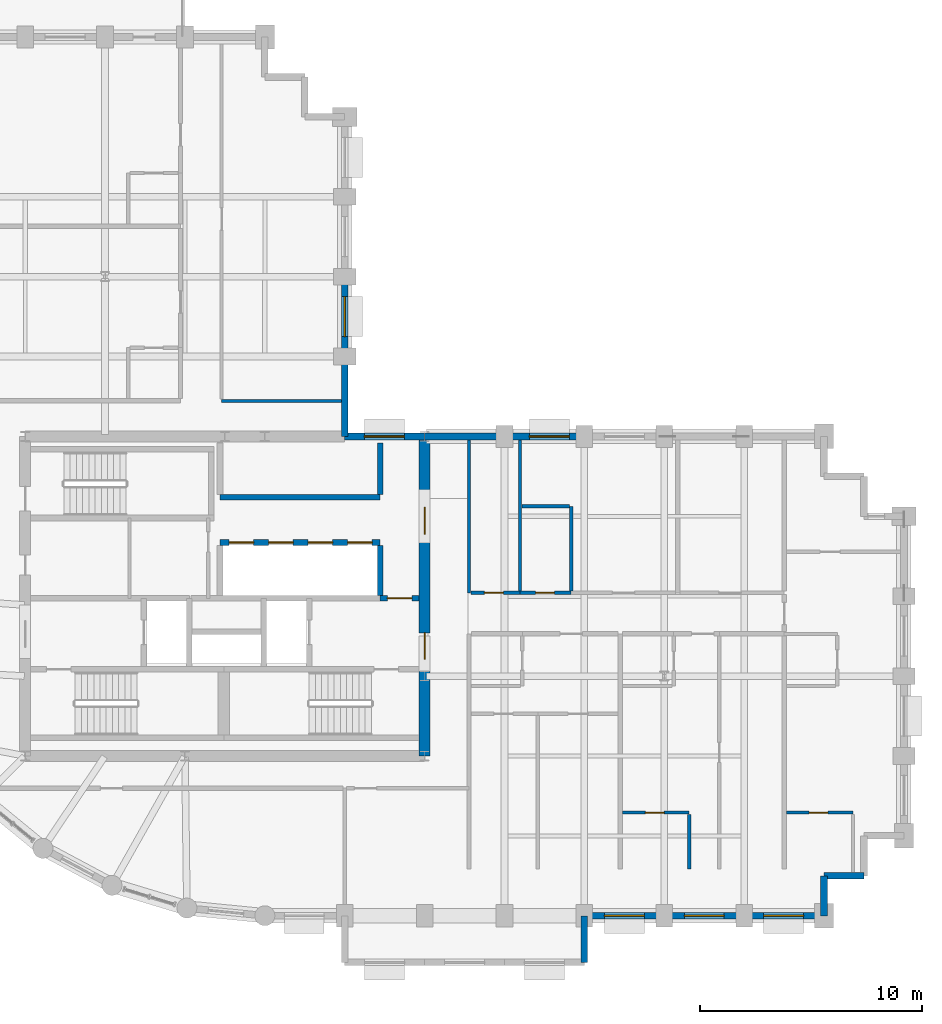
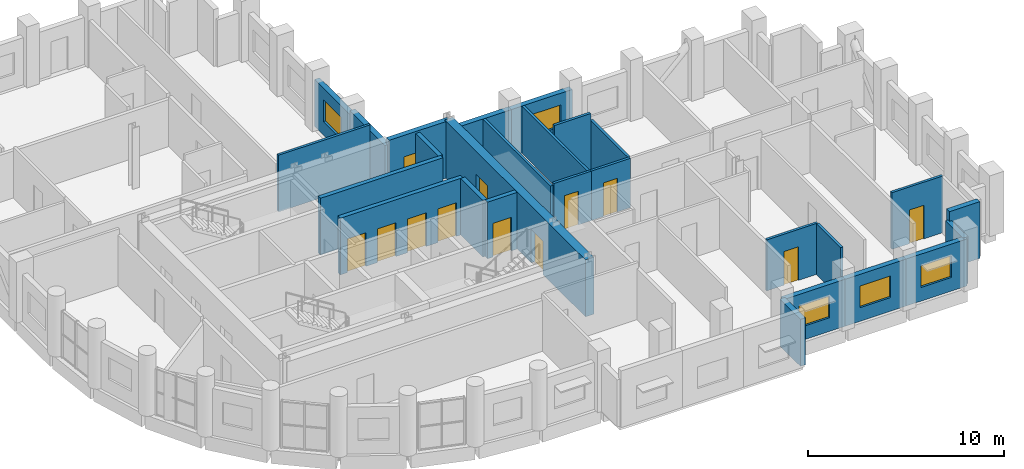
# One storey, part 9 of 14: 27 walls, 11 doors, 6 windows, 17 openings.
"""IFC4 building model written with IfcOpenShell, lengths in metres."""

from ifc_helpers import new_model, si_unit, direction, frame, frame_2d, origin, place, context, subcontext, project, spatial, rectangle, extrude, material, layer, layer_set, type_object, element, fill, save


model = new_model("IFC4")

# Units and contexts
model_context = context("Model", 3, precision=1e-05, world=origin(), true_north=direction((0.0, 1.0)))
body_context = subcontext(model_context, "Body", "Model", "MODEL_VIEW")
ifc_project = project(units=[si_unit("LENGTHUNIT", "METRE"), si_unit("AREAUNIT", "SQUARE_METRE"), si_unit("VOLUMEUNIT", "CUBIC_METRE"), si_unit("PLANEANGLEUNIT", "RADIAN"), si_unit("MASSUNIT", "GRAM", prefix="KILO")], contexts=[model_context])

# Site, building, storey
site_placement = place(None, origin())
site = spatial("IfcSite", under=ifc_project, at=site_placement, CompositionType="ELEMENT")
building_placement = place(site_placement, origin())
building = spatial("IfcBuilding", under=site, at=building_placement, Name="Solnavia Interchange Tower", CompositionType="ELEMENT")
storey_placement = place(building_placement, frame((0.0, 0.0, 135.199951171875)))
storey = spatial("IfcBuildingStorey", under=building, at=storey_placement, Name="L33", CompositionType="ELEMENT", Elevation=135.199951171875)

# Wall
ifc_material_1 = material(Name="Concrete C40/50", Category="concrete")
ifc_layer_1 = layer(ifc_material_1, 0.300048828125)
ifc_layer_set_1 = layer_set([ifc_layer_1], Name="Concrete C40/50")
wall_type_1 = type_object("IfcWallType", Name="Wall-ExtSpandrel-300", PredefinedType="STANDARD", material=ifc_layer_set_1)
wall_1_placement = place(storey_placement, frame((39.60009765625, 3.60009765625, 0.0), z_axis=(0.0, 0.0, 1.0), x_axis=(0.0, -1.0, 0.0)))
element("IfcWall", 1, at=wall_1_placement, inside=storey, type_object=wall_type_1, Name="EXW-L33-06 Exterior precast spandrel wall", PredefinedType="STANDARD", context=body_context, shape_type="SweptSolid", body=[
    extrude(rectangle(XDim=2.10009765625, YDim=0.300048828125, at=frame_2d((1.050048828125, 0.0))), origin(), (0.0, 0.0, 1.0), 2.929931640625),
])

# Wall, opening, window
wall_2_placement = place(storey_placement, frame((43.199951171875, 3.60009765625, 0.0), z_axis=(0.0, 0.0, 1.0), x_axis=(-1.0, 0.0, 0.0)))
wall_2 = element("IfcWall", 2, at=wall_2_placement, inside=storey, type_object=wall_type_1, Name="EXW-L33-07 Exterior precast spandrel wall", PredefinedType="STANDARD", context=body_context, shape_type="SweptSolid", body=[
    extrude(rectangle(XDim=3.599853515625, YDim=0.300048828125, at=frame_2d((1.7998046875, 0.0))), origin(), (0.0, 0.0, 1.0), 2.929931640625),
])
opening_1_placement = place(wall_2_placement, frame((0.89990234375, 0.0, 0.85009765625)))
opening_1 = element("IfcOpeningElement", 3, at=opening_1_placement, cuts=wall_2, Name="Opening WIN-02", PredefinedType="OPENING", context=body_context, shape_type="SweptSolid", body=[
    extrude(rectangle(XDim=1.800048828125, YDim=1.35009765625, at=frame_2d((0.89990234375, 0.675048828125))), frame((0.0, 0.16015625, 0.0), z_axis=(0.0, -1.0, 0.0), x_axis=(1.0, 0.0, 0.0)), (0.0, 0.0, 1.0), 0.320068359375),
])
ifc_material_2 = material(Name="Thermal-Break Aluminium & Low-E Glass", Category="aluminium")
window_type = type_object("IfcWindowType", Name="Window-Ribbon-1800x1350", PartitioningType="SINGLE_PANEL", PredefinedType="WINDOW", material=ifc_material_2)
window_1_placement = place(opening_1_placement, origin())
window_1 = element("IfcWindow", 4, at=window_1_placement, inside=storey, type_object=window_type, Name="WIN-L33-07 Facade ribbon window", OverallHeight=1.35009765625, OverallWidth=1.800048828125, PartitioningType="SINGLE_PANEL", PredefinedType="WINDOW", context=body_context, shape_type="SweptSolid", body=[
    extrude(rectangle(XDim=1.800048828125, YDim=1.35009765625, at=frame_2d((0.89990234375, 0.675048828125))), frame((0.0, 0.030029296875, 0.0), z_axis=(0.0, -1.0, 0.0), x_axis=(1.0, 0.0, 0.0)), (0.0, 0.0, 1.0), 0.06005859375),
])
fill(opening_1, window_1)

wall_3_placement = place(storey_placement, frame((46.800048828125, 3.60009765625, 0.0), z_axis=(0.0, 0.0, 1.0), x_axis=(-1.0, 0.0, 0.0)))
wall_3 = element("IfcWall", 5, at=wall_3_placement, inside=storey, type_object=wall_type_1, Name="EXW-L33-08 Exterior precast spandrel wall", PredefinedType="STANDARD", context=body_context, shape_type="SweptSolid", body=[
    extrude(rectangle(XDim=3.60009765625, YDim=0.300048828125, at=frame_2d((1.800048828125, 0.0))), origin(), (0.0, 0.0, 1.0), 2.929931640625),
])
opening_2_placement = place(wall_3_placement, frame((0.89990234375, 0.0, 0.85009765625)))
opening_2 = element("IfcOpeningElement", 6, at=opening_2_placement, cuts=wall_3, Name="Opening WIN-02", PredefinedType="OPENING", context=body_context, shape_type="SweptSolid", body=[
    extrude(rectangle(XDim=1.800048828125, YDim=1.35009765625, at=frame_2d((0.89990234375, 0.675048828125))), frame((0.0, 0.16015625, 0.0), z_axis=(0.0, -1.0, 0.0), x_axis=(1.0, 0.0, 0.0)), (0.0, 0.0, 1.0), 0.320068359375),
])
window_2_placement = place(opening_2_placement, origin())
window_2 = element("IfcWindow", 7, at=window_2_placement, inside=storey, type_object=window_type, Name="WIN-L33-08 Facade ribbon window", OverallHeight=1.35009765625, OverallWidth=1.800048828125, PartitioningType="SINGLE_PANEL", PredefinedType="WINDOW", context=body_context, shape_type="SweptSolid", body=[
    extrude(rectangle(XDim=1.800048828125, YDim=1.35009765625, at=frame_2d((0.89990234375, 0.675048828125))), frame((0.0, 0.030029296875, 0.0), z_axis=(0.0, -1.0, 0.0), x_axis=(1.0, 0.0, 0.0)), (0.0, 0.0, 1.0), 0.06005859375),
])
fill(opening_2, window_2)

wall_4_placement = place(storey_placement, frame((50.39990234375, 3.60009765625, 0.0), z_axis=(0.0, 0.0, 1.0), x_axis=(-1.0, 0.0, 0.0)))
wall_4 = element("IfcWall", 8, at=wall_4_placement, inside=storey, type_object=wall_type_1, Name="EXW-L33-09 Exterior precast spandrel wall", PredefinedType="STANDARD", context=body_context, shape_type="SweptSolid", body=[
    extrude(rectangle(XDim=3.599853515625, YDim=0.300048828125, at=frame_2d((1.7998046875, 0.0))), origin(), (0.0, 0.0, 1.0), 2.929931640625),
])
opening_3_placement = place(wall_4_placement, frame((0.925048828125, 0.0, 0.85009765625)))
opening_3 = element("IfcOpeningElement", 9, at=opening_3_placement, cuts=wall_4, Name="Opening WIN-02", PredefinedType="OPENING", context=body_context, shape_type="SweptSolid", body=[
    extrude(rectangle(XDim=1.800048828125, YDim=1.35009765625, at=frame_2d((0.89990234375, 0.675048828125))), frame((0.0, 0.16015625, 0.0), z_axis=(0.0, -1.0, 0.0), x_axis=(1.0, 0.0, 0.0)), (0.0, 0.0, 1.0), 0.320068359375),
])
window_3_placement = place(opening_3_placement, origin())
window_3 = element("IfcWindow", 10, at=window_3_placement, inside=storey, type_object=window_type, Name="WIN-L33-09 Facade ribbon window", OverallHeight=1.35009765625, OverallWidth=1.800048828125, PartitioningType="SINGLE_PANEL", PredefinedType="WINDOW", context=body_context, shape_type="SweptSolid", body=[
    extrude(rectangle(XDim=1.800048828125, YDim=1.35009765625, at=frame_2d((0.89990234375, 0.675048828125))), frame((0.0, 0.030029296875, 0.0), z_axis=(0.0, -1.0, 0.0), x_axis=(1.0, 0.0, 0.0)), (0.0, 0.0, 1.0), 0.06005859375),
])
fill(opening_3, window_3)

# Walls
wall_5_placement = place(storey_placement, frame((50.39990234375, 5.39990234375, 0.0), z_axis=(0.0, 0.0, 1.0), x_axis=(0.0, -1.0, 0.0)))
element("IfcWall", 11, at=wall_5_placement, inside=storey, type_object=wall_type_1, Name="EXW-L33-10 Exterior precast spandrel wall", PredefinedType="STANDARD", context=body_context, shape_type="SweptSolid", body=[
    extrude(rectangle(XDim=1.7998046875, YDim=0.300048828125, at=frame_2d((0.89990234375, 0.0))), origin(), (0.0, 0.0, 1.0), 2.929931640625),
])
wall_6_placement = place(storey_placement, frame((52.199951171875, 5.39990234375, 0.0), z_axis=(0.0, 0.0, 1.0), x_axis=(-1.0, 0.0, 0.0)))
element("IfcWall", 12, at=wall_6_placement, inside=storey, type_object=wall_type_1, Name="EXW-L33-11 Exterior precast spandrel wall", PredefinedType="STANDARD", context=body_context, shape_type="SweptSolid", body=[
    extrude(rectangle(XDim=1.800048828125, YDim=0.300048828125, at=frame_2d((0.89990234375, 0.0))), origin(), (0.0, 0.0, 1.0), 3.53515625),
])

# Wall, opening, window
wall_7_placement = place(storey_placement, frame((36.0, 25.199951171875, 0.0), z_axis=(0.0, 0.0, 1.0), x_axis=(1.0, 0.0, 0.0)))
wall_7 = element("IfcWall", 13, at=wall_7_placement, inside=storey, type_object=wall_type_1, Name="EXW-L33-25 Exterior precast spandrel wall", PredefinedType="STANDARD", context=body_context, shape_type="SweptSolid", body=[
    extrude(rectangle(XDim=3.60009765625, YDim=0.300048828125, at=frame_2d((1.800048828125, 0.0))), origin(), (0.0, 0.0, 1.0), 2.929931640625),
])
opening_4_placement = place(wall_7_placement, frame((1.1201171875, 0.0, 0.85009765625)))
opening_4 = element("IfcOpeningElement", 14, at=opening_4_placement, cuts=wall_7, Name="Opening WIN-02", PredefinedType="OPENING", context=body_context, shape_type="SweptSolid", body=[
    extrude(rectangle(XDim=1.800048828125, YDim=1.35009765625, at=frame_2d((0.89990234375, 0.675048828125))), frame((0.0, 0.16015625, 0.0), z_axis=(0.0, -1.0, 0.0), x_axis=(1.0, 0.0, 0.0)), (0.0, 0.0, 1.0), 0.320068359375),
])
window_4_placement = place(opening_4_placement, origin())
window_4 = element("IfcWindow", 15, at=window_4_placement, inside=storey, type_object=window_type, Name="WIN-L33-25 Facade ribbon window", OverallHeight=1.35009765625, OverallWidth=1.800048828125, PartitioningType="SINGLE_PANEL", PredefinedType="WINDOW", context=body_context, shape_type="SweptSolid", body=[
    extrude(rectangle(XDim=1.800048828125, YDim=1.35009765625, at=frame_2d((0.89990234375, 0.675048828125))), frame((0.0, 0.030029296875, 0.0), z_axis=(0.0, -1.0, 0.0), x_axis=(1.0, 0.0, 0.0)), (0.0, 0.0, 1.0), 0.06005859375),
])
fill(opening_4, window_4)

# Wall
wall_8_placement = place(storey_placement, frame((32.39990234375, 25.199951171875, 0.0), z_axis=(0.0, 0.0, 1.0), x_axis=(1.0, 0.0, 0.0)))
element("IfcWall", 16, at=wall_8_placement, inside=storey, type_object=wall_type_1, Name="EXW-L33-26 Exterior precast spandrel wall", PredefinedType="STANDARD", context=body_context, shape_type="SweptSolid", body=[
    extrude(rectangle(XDim=3.60009765625, YDim=0.300048828125, at=frame_2d((1.800048828125, 0.0))), origin(), (0.0, 0.0, 1.0), 2.929931640625),
])

# Wall, opening, window
wall_9_placement = place(storey_placement, frame((28.800048828125, 25.199951171875, 0.0), z_axis=(0.0, 0.0, 1.0), x_axis=(1.0, 0.0, 0.0)))
wall_9 = element("IfcWall", 17, at=wall_9_placement, inside=storey, type_object=wall_type_1, Name="EXW-L33-27 Exterior precast spandrel wall", PredefinedType="STANDARD", context=body_context, shape_type="SweptSolid", body=[
    extrude(rectangle(XDim=3.599853515625, YDim=0.300048828125, at=frame_2d((1.7998046875, 0.0))), origin(), (0.0, 0.0, 1.0), 3.53515625),
])
opening_5_placement = place(wall_9_placement, frame((0.884033203125, 0.0, 0.85009765625)))
opening_5 = element("IfcOpeningElement", 18, at=opening_5_placement, cuts=wall_9, Name="Opening WIN-02", PredefinedType="OPENING", context=body_context, shape_type="SweptSolid", body=[
    extrude(rectangle(XDim=1.800048828125, YDim=1.35009765625, at=frame_2d((0.89990234375, 0.675048828125))), frame((0.0, 0.16015625, 0.0), z_axis=(0.0, -1.0, 0.0), x_axis=(1.0, 0.0, 0.0)), (0.0, 0.0, 1.0), 0.320068359375),
])
window_5_placement = place(opening_5_placement, origin())
window_5 = element("IfcWindow", 19, at=window_5_placement, inside=storey, type_object=window_type, Name="WIN-L33-27 Facade ribbon window", OverallHeight=1.35009765625, OverallWidth=1.800048828125, PartitioningType="SINGLE_PANEL", PredefinedType="WINDOW", context=body_context, shape_type="SweptSolid", body=[
    extrude(rectangle(XDim=1.800048828125, YDim=1.35009765625, at=frame_2d((0.89990234375, 0.675048828125))), frame((0.0, 0.030029296875, 0.0), z_axis=(0.0, -1.0, 0.0), x_axis=(1.0, 0.0, 0.0)), (0.0, 0.0, 1.0), 0.06005859375),
])
fill(opening_5, window_5)

# Wall
wall_10_placement = place(storey_placement, frame((28.800048828125, 28.800048828125, 0.0), z_axis=(0.0, 0.0, 1.0), x_axis=(0.0, -1.0, 0.0)))
element("IfcWall", 20, at=wall_10_placement, inside=storey, type_object=wall_type_1, Name="EXW-L33-28 Exterior precast spandrel wall", PredefinedType="STANDARD", context=body_context, shape_type="SweptSolid", body=[
    extrude(rectangle(XDim=3.60009765625, YDim=0.300048828125, at=frame_2d((1.800048828125, 0.0))), origin(), (0.0, 0.0, 1.0), 3.170166015625),
])

# Wall, opening, window
wall_11_placement = place(storey_placement, frame((28.800048828125, 32.39990234375, 0.0), z_axis=(0.0, 0.0, 1.0), x_axis=(0.0, -1.0, 0.0)))
wall_11 = element("IfcWall", 21, at=wall_11_placement, inside=storey, type_object=wall_type_1, Name="EXW-L33-29 Exterior precast spandrel wall", PredefinedType="STANDARD", context=body_context, shape_type="SweptSolid", body=[
    extrude(rectangle(XDim=3.599853515625, YDim=0.300048828125, at=frame_2d((1.7998046875, 0.0))), origin(), (0.0, 0.0, 1.0), 2.929931640625),
])
opening_6_placement = place(wall_11_placement, frame((0.89990234375, 0.0, 0.85009765625)))
opening_6 = element("IfcOpeningElement", 22, at=opening_6_placement, cuts=wall_11, Name="Opening WIN-02", PredefinedType="OPENING", context=body_context, shape_type="SweptSolid", body=[
    extrude(rectangle(XDim=1.800048828125, YDim=1.35009765625, at=frame_2d((0.89990234375, 0.675048828125))), frame((0.0, 0.16015625, 0.0), z_axis=(0.0, -1.0, 0.0), x_axis=(1.0, 0.0, 0.0)), (0.0, 0.0, 1.0), 0.320068359375),
])
window_6_placement = place(opening_6_placement, origin())
window_6 = element("IfcWindow", 23, at=window_6_placement, inside=storey, type_object=window_type, Name="WIN-L33-29 Facade ribbon window", OverallHeight=1.35009765625, OverallWidth=1.800048828125, PartitioningType="SINGLE_PANEL", PredefinedType="WINDOW", context=body_context, shape_type="SweptSolid", body=[
    extrude(rectangle(XDim=1.800048828125, YDim=1.35009765625, at=frame_2d((0.89990234375, 0.675048828125))), frame((0.0, 0.030029296875, 0.0), z_axis=(0.0, -1.0, 0.0), x_axis=(1.0, 0.0, 0.0)), (0.0, 0.0, 1.0), 0.06005859375),
])
fill(opening_6, window_6)

# Wall
ifc_material_3 = material(Name="Gypsum Plasterboard & Steel Stud", Category="steel")
ifc_layer_2 = layer(ifc_material_3, 0.14990234375)
ifc_layer_set_2 = layer_set([ifc_layer_2], Name="Gypsum Plasterboard & Steel Stud")
wall_type_2 = type_object("IfcWallType", Name="Wall-Partition-150", PredefinedType="PARTITIONING", material=ifc_layer_set_2)
wall_12_placement = place(storey_placement, frame((23.25, 26.800048828125, 0.0), z_axis=(0.0, 0.0, 1.0), x_axis=(1.0, 0.0, 0.0)))
element("IfcWall", 24, at=wall_12_placement, inside=storey, type_object=wall_type_2, Name="PTW-L33-60 Interior partition wall", PredefinedType="PARTITIONING", context=body_context, shape_type="SweptSolid", body=[
    extrude(rectangle(XDim=5.39599609375, YDim=0.14990234375, at=frame_2d((2.697998046875, 0.0))), origin(), (0.0, 0.0, 1.0), 3.53515625),
])

# Wall, opening, door
ifc_layer_3 = layer(ifc_material_1, 0.25)
ifc_layer_set_3 = layer_set([ifc_layer_3], Name="Concrete C40/50")
wall_type_3 = type_object("IfcWallType", Name="Wall-ShaftPart-250", PredefinedType="PARTITIONING", material=ifc_layer_set_3)
wall_13_placement = place(storey_placement, frame((30.39990234375, 17.89990234375, 0.0), z_axis=(0.0, 0.0, 1.0), x_axis=(1.0, 0.0, 0.0)))
wall_13 = element("IfcWall", 25, at=wall_13_placement, inside=storey, type_object=wall_type_3, Name="SHW-L33-FFLE-N2 Core shaft wall", PredefinedType="PARTITIONING", context=body_context, shape_type="SweptSolid", body=[
    extrude(rectangle(XDim=1.75, YDim=0.25, at=frame_2d((0.875, 0.0))), origin(), (0.0, 0.0, 1.0), 3.53515625),
])
opening_7_placement = place(wall_13_placement, frame((0.320068359375, 0.0, 0.0)))
opening_7 = element("IfcOpeningElement", 26, at=opening_7_placement, cuts=wall_13, Name="Opening DR-01", PredefinedType="OPENING", context=body_context, shape_type="SweptSolid", body=[
    extrude(rectangle(XDim=1.10009765625, YDim=2.10009765625, at=frame_2d((0.550048828125, 1.050048828125))), frame((0.0, 0.135009765625, 0.0), z_axis=(0.0, -1.0, 0.0), x_axis=(1.0, 0.0, 0.0)), (0.0, 0.0, 1.0), 0.27001953125),
])
ifc_material_4 = material(Name="Steel Fire-Rated Leaf & Frame", Category="steel")
door_type_1 = type_object("IfcDoorType", Name="Door-StairFire-1100x2100", OperationType="SINGLE_SWING_LEFT", PredefinedType="DOOR", material=ifc_material_4)
door_1_placement = place(opening_7_placement, origin())
door_1 = element("IfcDoor", 27, at=door_1_placement, inside=storey, type_object=door_type_1, Name="DR-L33-LLC Core fire door", OperationType="SINGLE_SWING_LEFT", OverallHeight=2.10009765625, OverallWidth=1.10009765625, PredefinedType="DOOR", context=body_context, shape_type="SweptSolid", body=[
    extrude(rectangle(XDim=1.10009765625, YDim=2.10009765625, at=frame_2d((0.550048828125, 1.050048828125))), frame((0.0, 0.02490234375, 0.0), z_axis=(0.0, -1.0, 0.0), x_axis=(1.0, 0.0, 0.0)), (0.0, 0.0, 1.0), 0.050048828125),
])
fill(opening_7, door_1)

# Wall, openings, doors
wall_14_placement = place(storey_placement, frame((23.179931640625, 20.419921875, 0.0), z_axis=(0.0, 0.0, 1.0), x_axis=(1.0, 0.0, 0.0)))
wall_14 = element("IfcWall", 28, at=wall_14_placement, inside=storey, type_object=wall_type_3, Name="SHW-L33-B2N Core shaft wall", PredefinedType="PARTITIONING", context=body_context, shape_type="SweptSolid", body=[
    extrude(rectangle(XDim=7.219970703125, YDim=0.25, at=frame_2d((3.60986328125, 0.0))), origin(), (0.0, 0.0, 1.0), 3.53515625),
])
opening_8_placement = place(wall_14_placement, frame((0.409912109375, 0.0, 0.0)))
opening_8 = element("IfcOpeningElement", 29, at=opening_8_placement, cuts=wall_14, Name="Opening LD-01", PredefinedType="OPENING", context=body_context, shape_type="SweptSolid", body=[
    extrude(rectangle(XDim=1.10009765625, YDim=2.10009765625, at=frame_2d((0.550048828125, 1.050048828125))), frame((0.0, 0.135009765625, 0.0), z_axis=(0.0, -1.0, 0.0), x_axis=(1.0, 0.0, 0.0)), (0.0, 0.0, 1.0), 0.27001953125),
])
opening_9_placement = place(wall_14_placement, frame((2.18994140625, 0.0, 0.0)))
opening_9 = element("IfcOpeningElement", 30, at=opening_9_placement, cuts=wall_14, Name="Opening LD-01", PredefinedType="OPENING", context=body_context, shape_type="SweptSolid", body=[
    extrude(rectangle(XDim=1.10009765625, YDim=2.10009765625, at=frame_2d((0.550048828125, 1.050048828125))), frame((0.0, 0.135009765625, 0.0), z_axis=(0.0, -1.0, 0.0), x_axis=(1.0, 0.0, 0.0)), (0.0, 0.0, 1.0), 0.27001953125),
])
opening_10_placement = place(wall_14_placement, frame((3.969970703125, 0.0, 0.0)))
opening_10 = element("IfcOpeningElement", 31, at=opening_10_placement, cuts=wall_14, Name="Opening LD-01", PredefinedType="OPENING", context=body_context, shape_type="SweptSolid", body=[
    extrude(rectangle(XDim=1.10009765625, YDim=2.10009765625, at=frame_2d((0.550048828125, 1.050048828125))), frame((0.0, 0.135009765625, 0.0), z_axis=(0.0, -1.0, 0.0), x_axis=(1.0, 0.0, 0.0)), (0.0, 0.0, 1.0), 0.27001953125),
])
opening_11_placement = place(wall_14_placement, frame((5.75, 0.0, 0.0)))
opening_11 = element("IfcOpeningElement", 32, at=opening_11_placement, cuts=wall_14, Name="Opening LD-01", PredefinedType="OPENING", context=body_context, shape_type="SweptSolid", body=[
    extrude(rectangle(XDim=1.10009765625, YDim=2.10009765625, at=frame_2d((0.550048828125, 1.050048828125))), frame((0.0, 0.135009765625, 0.0), z_axis=(0.0, -1.0, 0.0), x_axis=(1.0, 0.0, 0.0)), (0.0, 0.0, 1.0), 0.27001953125),
])
ifc_material_5 = material(Name="Brushed Stainless Steel Sliding Door", Category="steel")
door_type_2 = type_object("IfcDoorType", Name="Door-LiftLanding-1100x2100", OperationType="SLIDING_TO_LEFT", PredefinedType="DOOR", material=ifc_material_5)
door_2_placement = place(opening_8_placement, origin())
door_2 = element("IfcDoor", 33, at=door_2_placement, inside=storey, type_object=door_type_2, Name="LD-L33-B2-1 Lift landing sliding door", OperationType="SLIDING_TO_LEFT", OverallHeight=2.10009765625, OverallWidth=1.10009765625, PredefinedType="DOOR", context=body_context, shape_type="SweptSolid", body=[
    extrude(rectangle(XDim=1.10009765625, YDim=2.10009765625, at=frame_2d((0.550048828125, 1.050048828125))), frame((0.0, 0.02490234375, 0.0), z_axis=(0.0, -1.0, 0.0), x_axis=(1.0, 0.0, 0.0)), (0.0, 0.0, 1.0), 0.050048828125),
])
fill(opening_8, door_2)
door_3_placement = place(opening_9_placement, origin())
door_3 = element("IfcDoor", 34, at=door_3_placement, inside=storey, type_object=door_type_2, Name="LD-L33-B2-2 Lift landing sliding door", OperationType="SLIDING_TO_LEFT", OverallHeight=2.10009765625, OverallWidth=1.10009765625, PredefinedType="DOOR", context=body_context, shape_type="SweptSolid", body=[
    extrude(rectangle(XDim=1.10009765625, YDim=2.10009765625, at=frame_2d((0.550048828125, 1.050048828125))), frame((0.0, 0.02490234375, 0.0), z_axis=(0.0, -1.0, 0.0), x_axis=(1.0, 0.0, 0.0)), (0.0, 0.0, 1.0), 0.050048828125),
])
fill(opening_9, door_3)
door_4_placement = place(opening_10_placement, origin())
door_4 = element("IfcDoor", 35, at=door_4_placement, inside=storey, type_object=door_type_2, Name="LD-L33-B2-3 Lift landing sliding door", OperationType="SLIDING_TO_LEFT", OverallHeight=2.10009765625, OverallWidth=1.10009765625, PredefinedType="DOOR", context=body_context, shape_type="SweptSolid", body=[
    extrude(rectangle(XDim=1.10009765625, YDim=2.10009765625, at=frame_2d((0.550048828125, 1.050048828125))), frame((0.0, 0.02490234375, 0.0), z_axis=(0.0, -1.0, 0.0), x_axis=(1.0, 0.0, 0.0)), (0.0, 0.0, 1.0), 0.050048828125),
])
fill(opening_10, door_4)
door_5_placement = place(opening_11_placement, origin())
door_5 = element("IfcDoor", 36, at=door_5_placement, inside=storey, type_object=door_type_2, Name="LD-L33-B2-4 Lift landing sliding door", OperationType="SLIDING_TO_LEFT", OverallHeight=2.10009765625, OverallWidth=1.10009765625, PredefinedType="DOOR", context=body_context, shape_type="SweptSolid", body=[
    extrude(rectangle(XDim=1.10009765625, YDim=2.10009765625, at=frame_2d((0.550048828125, 1.050048828125))), frame((0.0, 0.02490234375, 0.0), z_axis=(0.0, -1.0, 0.0), x_axis=(1.0, 0.0, 0.0)), (0.0, 0.0, 1.0), 0.050048828125),
])
fill(opening_11, door_5)

# Walls
wall_15_placement = place(storey_placement, frame((30.39990234375, 18.02490234375, 0.0), z_axis=(0.0, 0.0, 1.0), x_axis=(0.0, 1.0, 0.0)))
element("IfcWall", 37, at=wall_15_placement, inside=storey, type_object=wall_type_3, Name="SHW-L33-B2E Core shaft wall", PredefinedType="PARTITIONING", context=body_context, shape_type="SweptSolid", body=[
    extrude(rectangle(XDim=2.27001953125, YDim=0.25, at=frame_2d((1.135009765625, 0.0))), origin(), (0.0, 0.0, 1.0), 3.53515625),
])
wall_16_placement = place(storey_placement, frame((23.179931640625, 22.4599609375, 0.0), z_axis=(0.0, 0.0, 1.0), x_axis=(1.0, 0.0, 0.0)))
element("IfcWall", 38, at=wall_16_placement, inside=storey, type_object=wall_type_3, Name="SHW-L33-B3S Core shaft wall", PredefinedType="PARTITIONING", context=body_context, shape_type="SweptSolid", body=[
    extrude(rectangle(XDim=7.219970703125, YDim=0.25, at=frame_2d((3.60986328125, 0.0))), origin(), (0.0, 0.0, 1.0), 3.53515625),
])
wall_17_placement = place(storey_placement, frame((30.39990234375, 22.5849609375, 0.0), z_axis=(0.0, 0.0, 1.0), x_axis=(0.0, 1.0, 0.0)))
element("IfcWall", 39, at=wall_17_placement, inside=storey, type_object=wall_type_3, Name="SHW-L33-B3E Core shaft wall", PredefinedType="PARTITIONING", context=body_context, shape_type="SweptSolid", body=[
    extrude(rectangle(XDim=2.31494140625, YDim=0.25, at=frame_2d((1.157470703125, 0.0))), origin(), (0.0, 0.0, 1.0), 3.53515625),
])

# Wall, openings, doors
ifc_material_6 = material(Name="Concrete C60/75", Category="concrete")
ifc_layer_4 = layer(ifc_material_6, 0.5)
ifc_layer_set_4 = layer_set([ifc_layer_4], Name="Concrete C60/75")
wall_type_4 = type_object("IfcWallType", Name="Wall-ShearCore-500", PredefinedType="SHEAR", material=ifc_layer_set_4)
wall_18_placement = place(storey_placement, frame((32.39990234375, 10.800048828125, 0.0), z_axis=(0.0, 0.0, 1.0), x_axis=(0.0, 1.0, 0.0)))
wall_18 = element("IfcWall", 40, at=wall_18_placement, inside=storey, type_object=wall_type_4, Name="CRW-L33-E Core shear wall", PredefinedType="SHEAR", context=body_context, shape_type="SweptSolid", body=[
    extrude(rectangle(XDim=14.39990234375, YDim=0.5, at=frame_2d((7.199951171875, 0.0))), origin(), (0.0, 0.0, 1.0), 3.550048828125),
])
opening_12_placement = place(wall_18_placement, frame((4.35009765625, 0.0, 0.0)))
opening_12 = element("IfcOpeningElement", 41, at=opening_12_placement, cuts=wall_18, Name="Opening DR-02", PredefinedType="OPENING", context=body_context, shape_type="SweptSolid", body=[
    extrude(rectangle(XDim=1.199951171875, YDim=2.10009765625, at=frame_2d((0.60009765625, 1.050048828125))), frame((0.0, 0.260009765625, 0.0), z_axis=(0.0, -1.0, 0.0), x_axis=(1.0, 0.0, 0.0)), (0.0, 0.0, 1.0), 0.52001953125),
])
opening_13_placement = place(wall_18_placement, frame((10.0, 0.0, 0.0)))
opening_13 = element("IfcOpeningElement", 42, at=opening_13_placement, cuts=wall_18, Name="Opening DR-02", PredefinedType="OPENING", context=body_context, shape_type="SweptSolid", body=[
    extrude(rectangle(XDim=1.199951171875, YDim=2.10009765625, at=frame_2d((0.60009765625, 1.050048828125))), frame((0.0, 0.260009765625, 0.0), z_axis=(0.0, -1.0, 0.0), x_axis=(1.0, 0.0, 0.0)), (0.0, 0.0, 1.0), 0.52001953125),
])
ifc_material_7 = material(Name="Steel Fire-Rated Vision-Panel Door", Category="steel")
door_type_3 = type_object("IfcDoorType", Name="Door-LobbyFire-1200x2100", OperationType="SINGLE_SWING_RIGHT", PredefinedType="DOOR", material=ifc_material_7)
door_6_placement = place(opening_12_placement, origin())
door_6 = element("IfcDoor", 43, at=door_6_placement, inside=storey, type_object=door_type_3, Name="DR-L33-FFL2E Core fire door", OperationType="SINGLE_SWING_LEFT", OverallHeight=2.10009765625, OverallWidth=1.199951171875, PredefinedType="DOOR", context=body_context, shape_type="SweptSolid", body=[
    extrude(rectangle(XDim=1.199951171875, YDim=2.10009765625, at=frame_2d((0.60009765625, 1.050048828125))), frame((0.0, 0.02490234375, 0.0), z_axis=(0.0, -1.0, 0.0), x_axis=(1.0, 0.0, 0.0)), (0.0, 0.0, 1.0), 0.050048828125),
])
fill(opening_12, door_6)
door_7_placement = place(opening_13_placement, origin())
door_7 = element("IfcDoor", 44, at=door_7_placement, inside=storey, type_object=door_type_3, Name="DR-L33-LLE Core fire door", OperationType="SINGLE_SWING_RIGHT", OverallHeight=2.10009765625, OverallWidth=1.199951171875, PredefinedType="DOOR", context=body_context, shape_type="SweptSolid", body=[
    extrude(rectangle(XDim=1.199951171875, YDim=2.10009765625, at=frame_2d((0.60009765625, 1.050048828125))), frame((0.0, 0.02490234375, 0.0), z_axis=(0.0, -1.0, 0.0), x_axis=(1.0, 0.0, 0.0)), (0.0, 0.0, 1.0), 0.050048828125),
])
fill(opening_13, door_7)

# Wall
ifc_material_8 = material(Name="Moisture-Resistant Gypsum & Steel Stud", Category="steel")
ifc_layer_5 = layer(ifc_material_8, 0.14990234375)
ifc_layer_set_5 = layer_set([ifc_layer_5], Name="Moisture-Resistant Gypsum & Steel Stud")
wall_type_5 = type_object("IfcWallType", Name="Wall-WetRoom-150", PredefinedType="PARTITIONING", material=ifc_layer_set_5)
wall_19_placement = place(storey_placement, frame((34.39990234375, 18.14990234375, 0.0), z_axis=(0.0, 0.0, 1.0), x_axis=(0.0, 1.0, 0.0)))
element("IfcWall", 45, at=wall_19_placement, inside=storey, type_object=wall_type_5, Name="PTW-L33-01 Interior partition wall", PredefinedType="PARTITIONING", context=body_context, shape_type="SweptSolid", body=[
    extrude(rectangle(XDim=6.89599609375, YDim=0.14990234375, at=frame_2d((3.447998046875, 0.0))), origin(), (0.0, 0.0, 1.0), 2.929931640625),
])

# Wall, opening, door
wall_20_placement = place(storey_placement, frame((34.47900390625, 18.14990234375, 0.0), z_axis=(0.0, 0.0, 1.0), x_axis=(1.0, 0.0, 0.0)))
wall_20 = element("IfcWall", 46, at=wall_20_placement, inside=storey, type_object=wall_type_5, Name="PTW-L33-02 Interior partition wall", PredefinedType="PARTITIONING", context=body_context, shape_type="SweptSolid", body=[
    extrude(rectangle(XDim=2.220947265625, YDim=0.14990234375, at=frame_2d((1.1103515625, 0.0))), origin(), (0.0, 0.0, 1.0), 3.080078125),
])
opening_14_placement = place(wall_20_placement, frame((0.617919921875, 0.0, 0.0)))
opening_14 = element("IfcOpeningElement", 47, at=opening_14_placement, cuts=wall_20, Name="Opening DR-10", PredefinedType="OPENING", context=body_context, shape_type="SweptSolid", body=[
    extrude(rectangle(XDim=0.85009765625, YDim=2.10009765625, at=frame_2d((0.425048828125, 1.050048828125))), frame((0.0, 0.0849609375, 0.0), z_axis=(0.0, -1.0, 0.0), x_axis=(1.0, 0.0, 0.0)), (0.0, 0.0, 1.0), 0.169921875),
])
ifc_material_9 = material(Name="Moisture-Resistant Timber Door", Category="wood")
door_type_4 = type_object("IfcDoorType", Name="Door-Bathroom-850x2100", OperationType="SINGLE_SWING_RIGHT", PredefinedType="DOOR", material=ifc_material_9)
door_8_placement = place(opening_14_placement, origin())
door_8 = element("IfcDoor", 48, at=door_8_placement, inside=storey, type_object=door_type_4, Name="DR-L33-01 Interior room door", OperationType="SINGLE_SWING_LEFT", OverallHeight=2.10009765625, OverallWidth=0.85009765625, PredefinedType="DOOR", context=body_context, shape_type="SweptSolid", body=[
    extrude(rectangle(XDim=0.85009765625, YDim=2.10009765625, at=frame_2d((0.425048828125, 1.050048828125))), frame((0.0, 0.02490234375, 0.0), z_axis=(0.0, -1.0, 0.0), x_axis=(1.0, 0.0, 0.0)), (0.0, 0.0, 1.0), 0.050048828125),
])
fill(opening_14, door_8)

# Wall
wall_21_placement = place(storey_placement, frame((36.699951171875, 18.22900390625, 0.0), z_axis=(0.0, 0.0, 1.0), x_axis=(0.0, 1.0, 0.0)))
element("IfcWall", 49, at=wall_21_placement, inside=storey, type_object=wall_type_5, Name="PTW-L33-03 Interior partition wall", PredefinedType="PARTITIONING", context=body_context, shape_type="SweptSolid", body=[
    extrude(rectangle(XDim=6.81689453125, YDim=0.14990234375, at=frame_2d((3.408447265625, 0.0))), origin(), (0.0, 0.0, 1.0), 2.929931640625),
])

# Wall, opening, door
wall_22_placement = place(storey_placement, frame((36.699951171875, 18.14990234375, 0.0), z_axis=(0.0, 0.0, 1.0), x_axis=(1.0, 0.0, 0.0)))
wall_22 = element("IfcWall", 50, at=wall_22_placement, inside=storey, type_object=wall_type_5, Name="PTW-L33-04 Interior partition wall", PredefinedType="PARTITIONING", context=body_context, shape_type="SweptSolid", body=[
    extrude(rectangle(XDim=2.300048828125, YDim=0.14990234375, at=frame_2d((1.14990234375, 0.0))), origin(), (0.0, 0.0, 1.0), 3.080078125),
])
opening_15_placement = place(wall_22_placement, frame((0.697021484375, 0.0, 0.0)))
opening_15 = element("IfcOpeningElement", 51, at=opening_15_placement, cuts=wall_22, Name="Opening DR-10", PredefinedType="OPENING", context=body_context, shape_type="SweptSolid", body=[
    extrude(rectangle(XDim=0.85009765625, YDim=2.10009765625, at=frame_2d((0.425048828125, 1.050048828125))), frame((0.0, 0.0849609375, 0.0), z_axis=(0.0, -1.0, 0.0), x_axis=(1.0, 0.0, 0.0)), (0.0, 0.0, 1.0), 0.169921875),
])
door_9_placement = place(opening_15_placement, origin())
door_9 = element("IfcDoor", 52, at=door_9_placement, inside=storey, type_object=door_type_4, Name="DR-L33-02 Interior room door", OperationType="SINGLE_SWING_RIGHT", OverallHeight=2.10009765625, OverallWidth=0.85009765625, PredefinedType="DOOR", context=body_context, shape_type="SweptSolid", body=[
    extrude(rectangle(XDim=0.85009765625, YDim=2.10009765625, at=frame_2d((0.425048828125, 1.050048828125))), frame((0.0, 0.02490234375, 0.0), z_axis=(0.0, -1.0, 0.0), x_axis=(1.0, 0.0, 0.0)), (0.0, 0.0, 1.0), 0.050048828125),
])
fill(opening_15, door_9)

# Walls
wall_23_placement = place(storey_placement, frame((39.0, 18.22900390625, 0.0), z_axis=(0.0, 0.0, 1.0), x_axis=(0.0, 1.0, 0.0)))
element("IfcWall", 53, at=wall_23_placement, inside=storey, type_object=wall_type_5, Name="PTW-L33-05 Interior partition wall", PredefinedType="PARTITIONING", context=body_context, shape_type="SweptSolid", body=[
    extrude(rectangle(XDim=3.821044921875, YDim=0.14990234375, at=frame_2d((1.91064453125, 0.0))), origin(), (0.0, 0.0, 1.0), 3.080078125),
])
wall_24_placement = place(storey_placement, frame((36.779052734375, 22.050048828125, 0.0), z_axis=(0.0, 0.0, 1.0), x_axis=(1.0, 0.0, 0.0)))
element("IfcWall", 54, at=wall_24_placement, inside=storey, type_object=wall_type_5, Name="PTW-L33-06 Interior partition wall", PredefinedType="PARTITIONING", context=body_context, shape_type="SweptSolid", body=[
    extrude(rectangle(XDim=2.141845703125, YDim=0.14990234375, at=frame_2d((1.07080078125, 0.0))), origin(), (0.0, 0.0, 1.0), 3.53515625),
])

# Wall, opening, door
wall_25_placement = place(storey_placement, frame((41.323974609375, 8.25, 0.0), z_axis=(0.0, 0.0, 1.0), x_axis=(1.0, 0.0, 0.0)))
wall_25 = element("IfcWall", 55, at=wall_25_placement, inside=storey, type_object=wall_type_5, Name="PTW-L33-30 Interior partition wall", PredefinedType="PARTITIONING", context=body_context, shape_type="SweptSolid", body=[
    extrude(rectangle(XDim=2.99609375, YDim=0.14990234375, at=frame_2d((1.498046875, 0.0))), origin(), (0.0, 0.0, 1.0), 3.179931640625),
])
opening_16_placement = place(wall_25_placement, frame((1.02099609375, 0.0, 0.0)))
opening_16 = element("IfcOpeningElement", 56, at=opening_16_placement, cuts=wall_25, Name="Opening DR-10", PredefinedType="OPENING", context=body_context, shape_type="SweptSolid", body=[
    extrude(rectangle(XDim=0.85009765625, YDim=2.10009765625, at=frame_2d((0.425048828125, 1.050048828125))), frame((0.0, 0.0849609375, 0.0), z_axis=(0.0, -1.0, 0.0), x_axis=(1.0, 0.0, 0.0)), (0.0, 0.0, 1.0), 0.169921875),
])
door_10_placement = place(opening_16_placement, origin())
door_10 = element("IfcDoor", 57, at=door_10_placement, inside=storey, type_object=door_type_4, Name="DR-L33-14 Interior room door", OperationType="SINGLE_SWING_LEFT", OverallHeight=2.10009765625, OverallWidth=0.85009765625, PredefinedType="DOOR", context=body_context, shape_type="SweptSolid", body=[
    extrude(rectangle(XDim=0.85009765625, YDim=2.10009765625, at=frame_2d((0.425048828125, 1.050048828125))), frame((0.0, 0.02490234375, 0.0), z_axis=(0.0, -1.0, 0.0), x_axis=(1.0, 0.0, 0.0)), (0.0, 0.0, 1.0), 0.050048828125),
])
fill(opening_16, door_10)

# Wall
wall_26_placement = place(storey_placement, frame((44.320068359375, 5.699951171875, 0.0), z_axis=(0.0, 0.0, 1.0), x_axis=(0.0, 1.0, 0.0)))
element("IfcWall", 58, at=wall_26_placement, inside=storey, type_object=wall_type_5, Name="PTW-L33-31 Interior partition wall", PredefinedType="PARTITIONING", context=body_context, shape_type="SweptSolid", body=[
    extrude(rectangle(XDim=2.470947265625, YDim=0.14990234375, at=frame_2d((1.2353515625, 0.0))), origin(), (0.0, 0.0, 1.0), 3.170166015625),
])

# Wall, opening, door
wall_27_placement = place(storey_placement, frame((48.7041015625, 8.25, 0.0), z_axis=(0.0, 0.0, 1.0), x_axis=(1.0, 0.0, 0.0)))
wall_27 = element("IfcWall", 59, at=wall_27_placement, inside=storey, type_object=wall_type_5, Name="PTW-L33-42 Interior partition wall", PredefinedType="PARTITIONING", context=body_context, shape_type="SweptSolid", body=[
    extrude(rectangle(XDim=2.995849609375, YDim=0.14990234375, at=frame_2d((1.498046875, 0.0))), origin(), (0.0, 0.0, 1.0), 3.53515625),
])
opening_17_placement = place(wall_27_placement, frame((1.02099609375, 0.0, 0.0)))
opening_17 = element("IfcOpeningElement", 60, at=opening_17_placement, cuts=wall_27, Name="Opening DR-10", PredefinedType="OPENING", context=body_context, shape_type="SweptSolid", body=[
    extrude(rectangle(XDim=0.85009765625, YDim=2.10009765625, at=frame_2d((0.425048828125, 1.050048828125))), frame((0.0, 0.0849609375, 0.0), z_axis=(0.0, -1.0, 0.0), x_axis=(1.0, 0.0, 0.0)), (0.0, 0.0, 1.0), 0.169921875),
])
door_11_placement = place(opening_17_placement, origin())
door_11 = element("IfcDoor", 61, at=door_11_placement, inside=storey, type_object=door_type_4, Name="DR-L33-20 Interior room door", OperationType="SINGLE_SWING_RIGHT", OverallHeight=2.10009765625, OverallWidth=0.85009765625, PredefinedType="DOOR", context=body_context, shape_type="SweptSolid", body=[
    extrude(rectangle(XDim=0.85009765625, YDim=2.10009765625, at=frame_2d((0.425048828125, 1.050048828125))), frame((0.0, 0.02490234375, 0.0), z_axis=(0.0, -1.0, 0.0), x_axis=(1.0, 0.0, 0.0)), (0.0, 0.0, 1.0), 0.050048828125),
])
fill(opening_17, door_11)

save(model, "model.ifc")
